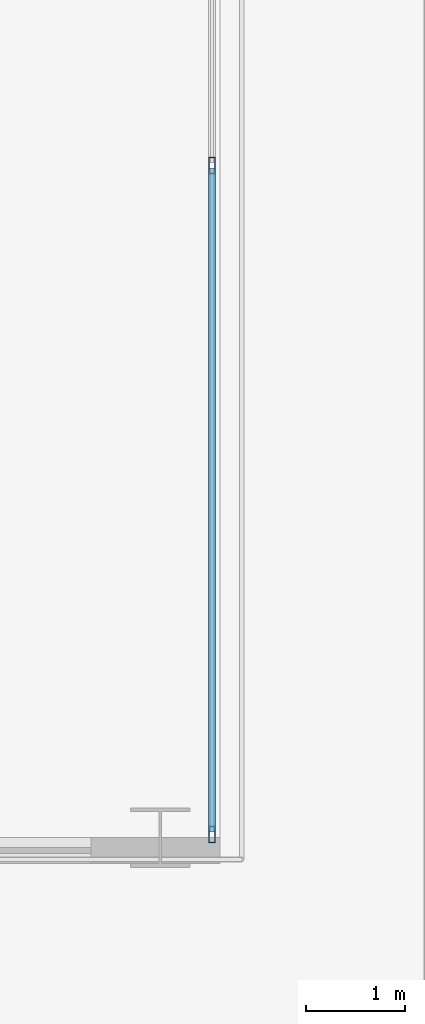
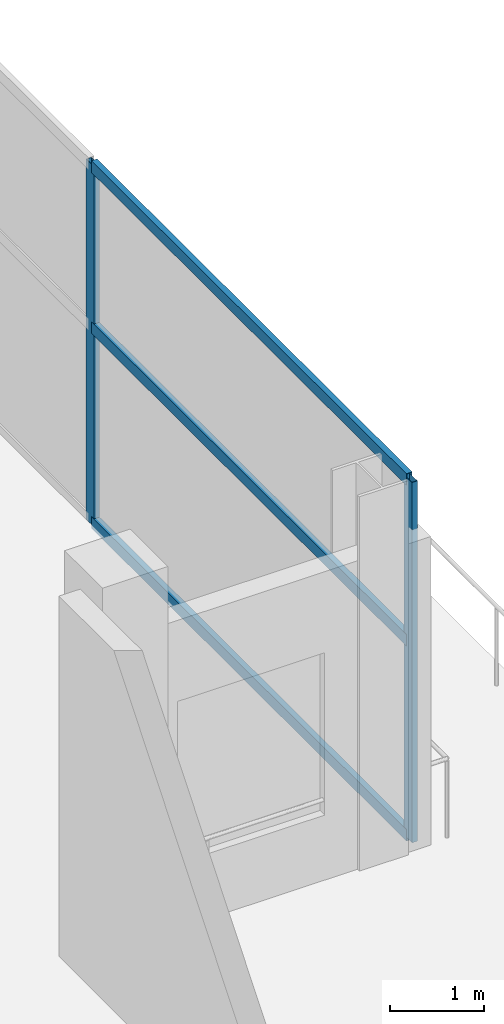
# One storey, part 13 of 31: 5 members, 1 element without a shape of its own.
"""IFC4 building model written with IfcOpenShell, lengths in metres."""

from ifc_helpers import new_model, si_unit, direction, frame, origin, origin_2d, place, context, subcontext, project, spatial, hollow_rectangle, extrude, material, layer, layer_set, material_profile, profile_set, type_object, element, aggregate, save


model = new_model("IFC4")

# Units and contexts
model_context = context("Model", 3, precision=1e-05, world=origin(), true_north=direction((0.0, 1.0)))
body_context = subcontext(model_context, "Body", "Model", "MODEL_VIEW")
ifc_project = project(units=[si_unit("LENGTHUNIT", "METRE"), si_unit("AREAUNIT", "SQUARE_METRE"), si_unit("VOLUMEUNIT", "CUBIC_METRE"), si_unit("PLANEANGLEUNIT", "RADIAN"), si_unit("MASSUNIT", "GRAM", prefix="KILO")], contexts=[model_context])

# Site, building, storey
site_placement = place(None, origin())
site = spatial("IfcSite", under=ifc_project, at=site_placement, CompositionType="ELEMENT")
building_placement = place(site_placement, origin())
building = spatial("IfcBuilding", under=site, at=building_placement, Name="Maruvema Waterfront Hotel and Observation Tower", CompositionType="ELEMENT")
storey_placement = place(building_placement, frame((0.0, 0.0, 122.5)))
storey = spatial("IfcBuildingStorey", under=building, at=storey_placement, Name="L29", CompositionType="ELEMENT", Elevation=122.5)

# Curtain wall, members
ifc_material_1 = material(Name="Anodised bronze aluminium and solar-control low-E IGU", Category="aluminium")
ifc_layer = layer(ifc_material_1, 0.159912109375, Name="Zone 2 Amber Inner Thermal Curtain Wall System CW-03")
ifc_layer_set = layer_set([ifc_layer], Name="Anodised bronze aluminium and solar-control low-E IGU")
curtain_wall_type = type_object("IfcCurtainWallType", Name="Zone 2 Amber Inner Thermal Curtain Wall System CW-03", PredefinedType="USERDEFINED", material=ifc_layer_set)
curtain_wall_placement = place(storey_placement, origin())
curtain_wall = element("IfcCurtainWall", 1, at=curtain_wall_placement, inside=storey, type_object=curtain_wall_type, Name="L29 Curtain Wall CW-L29-E", ObjectType="UNITISED CURTAIN WALL", PredefinedType="USERDEFINED")
ifc_material_2 = material(Name="Anodised architectural bronze aluminium", Category="aluminium")
ifc_material_profile_1 = material_profile(ifc_material_2, hollow_rectangle(XDim=0.070068359375, YDim=0.14990234375, WallThickness=0.00390625, at=origin_2d()), Name="ALU-T70x150")
ifc_profile_set_1 = profile_set([ifc_material_profile_1], Name="Anodised architectural bronze aluminium")
member_type_1 = type_object("IfcMemberType", Name="Curtain Wall Horizontal Transom ALU-T70x150", PredefinedType="USERDEFINED", material=ifc_profile_set_1)
member_1_placement = place(storey_placement, frame((62.419921875, 9.06005859375, 0.030029296875), z_axis=(0.0, 1.0, 0.0), x_axis=(-1.0, 0.0, 0.0)))
member_1 = element("IfcMember", 2, at=member_1_placement, type_object=member_type_1, Name="CW-03 transom 1.1", ObjectType="TRANSOM", PredefinedType="USERDEFINED", context=body_context, shape_type="SweptSolid", body=[
    extrude(hollow_rectangle(XDim=0.070068359375, YDim=0.14990234375, WallThickness=0.00390625, at=origin_2d()), origin(), (0.0, 0.0, 1.0), 6.676513671875),
])
member_2_placement = place(storey_placement, frame((62.419921875, 9.06005859375, 2.550048828125), z_axis=(0.0, 1.0, 0.0), x_axis=(-1.0, 0.0, 0.0)))
member_2 = element("IfcMember", 3, at=member_2_placement, type_object=member_type_1, Name="CW-03 transom 1.2", ObjectType="TRANSOM", PredefinedType="USERDEFINED", context=body_context, shape_type="SweptSolid", body=[
    extrude(hollow_rectangle(XDim=0.070068359375, YDim=0.14990234375, WallThickness=0.00390625, at=origin_2d()), origin(), (0.0, 0.0, 1.0), 6.676513671875),
])
member_3_placement = place(storey_placement, frame((62.419921875, 9.06005859375, 4.6298828125), z_axis=(0.0, 1.0, 0.0), x_axis=(-1.0, 0.0, 0.0)))
member_3 = element("IfcMember", 4, at=member_3_placement, type_object=member_type_1, Name="CW-03 transom 1.3", ObjectType="TRANSOM", PredefinedType="USERDEFINED", context=body_context, shape_type="SweptSolid", body=[
    extrude(hollow_rectangle(XDim=0.070068359375, YDim=0.14990234375, WallThickness=0.00390625, at=origin_2d()), origin(), (0.0, 0.0, 1.0), 6.676513671875),
])
ifc_material_3 = material(Name="Anodised architectural bronze aluminium", Category="aluminium")
ifc_material_profile_2 = material_profile(ifc_material_3, hollow_rectangle(XDim=0.06494140625, YDim=0.1650390625, WallThickness=0.00390625, at=origin_2d()), Name="ALU-M65x165")
ifc_profile_set_2 = profile_set([ifc_material_profile_2], Name="Anodised architectural bronze aluminium")
member_type_2 = type_object("IfcMemberType", Name="Curtain Wall Primary Mullion ALU-M65x165", PredefinedType="MULLION", material=ifc_profile_set_2)
member_4_placement = place(storey_placement, frame((62.419921875, 9.030029296875, 0.0), z_axis=(0.0, 0.0, 1.0), x_axis=(-1.0, 0.0, 0.0)))
member_4 = element("IfcMember", 5, at=member_4_placement, type_object=member_type_2, Name="CW-03 mullion 1", PredefinedType="MULLION", context=body_context, shape_type="SweptSolid", body=[
    extrude(hollow_rectangle(XDim=0.06494140625, YDim=0.1650390625, WallThickness=0.00390625, at=origin_2d()), origin(), (0.0, 0.0, 1.0), 4.659912109375),
])
member_5_placement = place(storey_placement, frame((62.419921875, 15.7666015625, 0.0), z_axis=(0.0, 0.0, 1.0), x_axis=(-1.0, 0.0, 0.0)))
member_5 = element("IfcMember", 6, at=member_5_placement, type_object=member_type_2, Name="CW-03 mullion 2", PredefinedType="MULLION", context=body_context, shape_type="SweptSolid", body=[
    extrude(hollow_rectangle(XDim=0.06494140625, YDim=0.1650390625, WallThickness=0.00390625, at=origin_2d()), origin(), (0.0, 0.0, 1.0), 4.659912109375),
])
aggregate(curtain_wall, [member_4, member_5, member_1, member_2, member_3])

save(model, "model.ifc")
